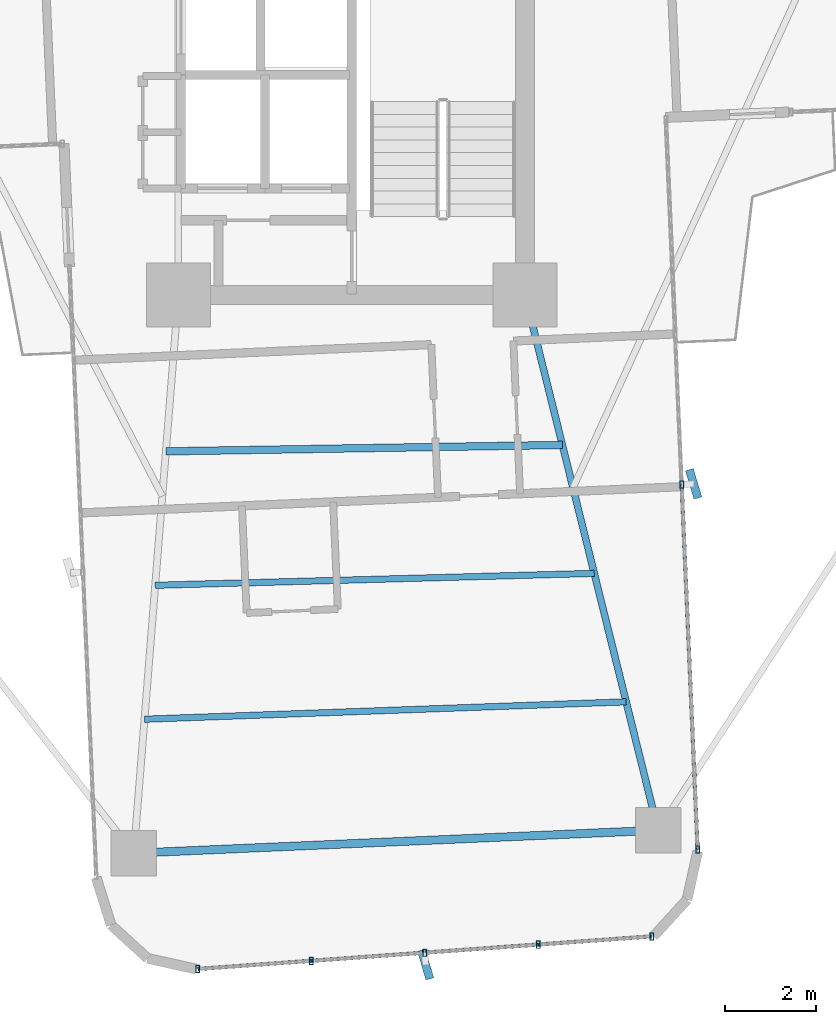
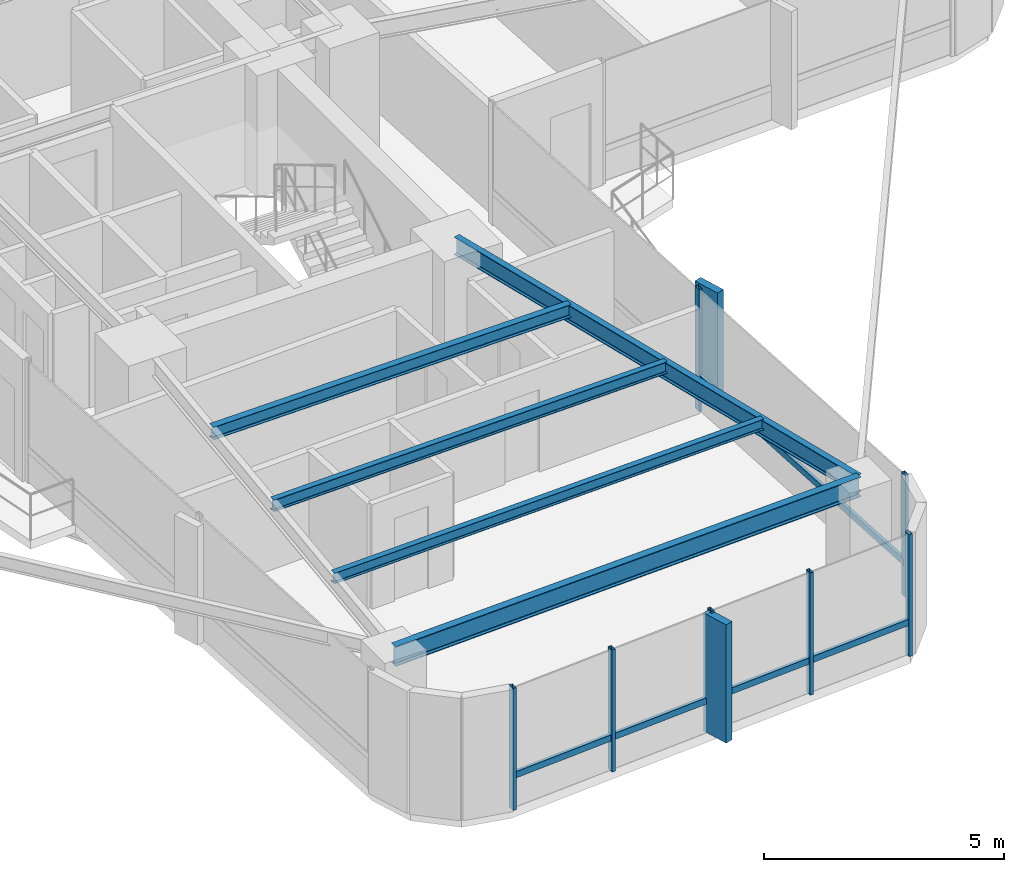
# One storey, part 6 of 26: 14 members, 5 beams, 2 elements without a shape of their own.
"""IFC4 building model written with IfcOpenShell, lengths in metres."""

from ifc_helpers import new_model, si_unit, direction, frame, origin, origin_2d, place, context, subcontext, project, spatial, rectangle, hollow_rectangle, i_section, extrude, source, transform, mapped, material, material_profile, profile_set, type_object, element, aggregate, save


model = new_model("IFC4")

# Units and contexts
model_context = context("Model", 3, precision=1e-05, world=origin(), true_north=direction((0.0, 1.0)))
body_context = subcontext(model_context, "Body", "Model", "MODEL_VIEW")
ifc_project = project(units=[si_unit("LENGTHUNIT", "METRE"), si_unit("AREAUNIT", "SQUARE_METRE"), si_unit("VOLUMEUNIT", "CUBIC_METRE"), si_unit("PLANEANGLEUNIT", "RADIAN"), si_unit("MASSUNIT", "GRAM", prefix="KILO")], contexts=[model_context])

# Site, building, storey
site_placement = place(None, origin())
site = spatial("IfcSite", under=ifc_project, at=site_placement, CompositionType="ELEMENT")
building_placement = place(site_placement, origin())
building = spatial("IfcBuilding", under=site, at=building_placement, Name="Sahyath Konkavel Grand Hotel", CompositionType="ELEMENT")
storey_placement = place(building_placement, frame((0.0, 0.0, 118.14990234375)))
storey = spatial("IfcBuildingStorey", under=building, at=storey_placement, Name="L32", CompositionType="ELEMENT", Elevation=118.14990234375)

# Beams
ifc_material_1 = material(Name="Steel E350", Category="steel")
ifc_material_profile_1 = material_profile(ifc_material_1, i_section(OverallWidth=0.14990234375, OverallDepth=0.449951171875, WebThickness=0.009521484375, FlangeThickness=0.017333984375, FilletRadius=0.014892578125, at=origin_2d()), Name="ISMB 450")
ifc_profile_set_1 = profile_set([ifc_material_profile_1], Name="Steel E350")
beam_type_1 = type_object("IfcBeamType", Name="BM-ISMB450", PredefinedType="BEAM", material=ifc_profile_set_1)
shared_shape_1 = source(origin(), body_context, "Body", "SweptSolid", [
    extrude(i_section(OverallWidth=0.14990234375, OverallDepth=0.449951171875, WebThickness=0.009521484375, FlangeThickness=0.017333984375, FilletRadius=0.014892578125, at=origin_2d()), origin(), (0.0, 0.0, 1.0), 12.084228515625),
])
beam_1_placement = place(storey_placement, frame((3.800048828125, -10.199951171875, 2.885009765625), z_axis=(0.241042688481, -0.970514514229, 0.0), x_axis=(0.970514514229, 0.241042688481, 0.0)))
element("IfcBeam", 1, at=beam_1_placement, inside=storey, type_object=beam_type_1, Name="L32 Cruciform Radial Girder SB", PredefinedType="BEAM", context=body_context, shape_type="MappedRepresentation", body=[
    mapped(shared_shape_1, transform((0.0, 0.0, 0.0), scale=1.0)),
])
ifc_material_profile_2 = material_profile(ifc_material_1, i_section(OverallWidth=0.179931640625, OverallDepth=0.5, WebThickness=0.01025390625, FlangeThickness=0.01708984375, FilletRadius=0.01708984375, at=origin_2d()), Name="ISMB 500")
ifc_profile_set_2 = profile_set([ifc_material_profile_2], Name="Steel E350")
beam_type_2 = type_object("IfcBeamType", Name="BM-ISMB500", PredefinedType="BEAM", material=ifc_profile_set_2)
shared_shape_2 = source(origin(), body_context, "Body", "SweptSolid", [
    extrude(i_section(OverallWidth=0.179931640625, OverallDepth=0.5, WebThickness=0.01025390625, FlangeThickness=0.01708984375, FilletRadius=0.01708984375, at=origin_2d()), origin(), (0.0, 0.0, 1.0), 11.5),
])
beam_2_placement = place(storey_placement, frame((-4.776123046875, -22.4296875, 2.860107421875), z_axis=(0.99904788879, 0.043627008892, 0.0), x_axis=(-0.043627008892, 0.99904788879, 0.0)))
element("IfcBeam", 2, at=beam_2_placement, inside=storey, type_object=beam_type_2, Name="L32 Wing Tip Edge Beam S", PredefinedType="BEAM", context=body_context, shape_type="MappedRepresentation", body=[
    mapped(shared_shape_2, transform((0.0, 0.0, 0.0), scale=1.0)),
])
ifc_material_profile_3 = material_profile(ifc_material_1, i_section(OverallWidth=0.1650390625, OverallDepth=0.324951171875, WebThickness=0.007080078125, FlangeThickness=0.009765625, FilletRadius=0.014892578125, at=origin_2d()), Name="ISLB 325")
ifc_profile_set_3 = profile_set([ifc_material_profile_3], Name="Steel E350")
beam_type_3 = type_object("IfcBeamType", Name="BM-ISLB325", PredefinedType="BEAM", material=ifc_profile_set_3)
shared_shape_3 = source(origin(), body_context, "Body", "SweptSolid", [
    extrude(i_section(OverallWidth=0.1650390625, OverallDepth=0.324951171875, WebThickness=0.007080078125, FlangeThickness=0.009765625, FilletRadius=0.014892578125, at=origin_2d()), origin(), (0.0, 0.0, 1.0), 8.68994140625),
])
beam_3_placement = place(storey_placement, frame((-4.0732421875, -13.624267578125, 2.947509765625), z_axis=(0.999869506431, 0.016154569283, 0.0), x_axis=(-0.016154569283, 0.999869506431, 0.0)))
element("IfcBeam", 3, at=beam_3_placement, inside=storey, type_object=beam_type_3, Name="L32 Secondary Floor Beam S-1", PredefinedType="BEAM", context=body_context, shape_type="MappedRepresentation", body=[
    mapped(shared_shape_3, transform((0.0, 0.0, 0.0), scale=1.0)),
])
ifc_material_profile_4 = material_profile(ifc_material_1, i_section(OverallWidth=0.139892578125, OverallDepth=0.300048828125, WebThickness=0.0078125, FlangeThickness=0.01318359375, FilletRadius=0.013916015625, at=origin_2d()), Name="ISMB 300")
ifc_profile_set_4 = profile_set([ifc_material_profile_4], Name="Steel E350")
beam_type_4 = type_object("IfcBeamType", Name="BM-ISMB300", PredefinedType="BEAM", material=ifc_profile_set_4)
shared_shape_4 = source(origin(), body_context, "Body", "SweptSolid", [
    extrude(i_section(OverallWidth=0.139892578125, OverallDepth=0.300048828125, WebThickness=0.0078125, FlangeThickness=0.01318359375, FilletRadius=0.013916015625, at=origin_2d()), origin(), (0.0, 0.0, 1.0), 9.625732421875),
])
beam_4_placement = place(storey_placement, frame((-4.3076171875, -16.559326171875, 2.960205078125), z_axis=(0.999633060528, 0.027087714933, 0.0), x_axis=(-0.027087714933, 0.999633060528, 0.0)))
element("IfcBeam", 4, at=beam_4_placement, inside=storey, type_object=beam_type_4, Name="L32 Secondary Floor Beam S-2", PredefinedType="BEAM", context=body_context, shape_type="MappedRepresentation", body=[
    mapped(shared_shape_4, transform((0.0, 0.0, 0.0), scale=1.0)),
])
ifc_material_profile_5 = material_profile(ifc_material_1, i_section(OverallWidth=0.139892578125, OverallDepth=0.27490234375, WebThickness=0.00634765625, FlangeThickness=0.0087890625, FilletRadius=0.012939453125, at=origin_2d()), Name="ISLB 275")
ifc_profile_set_5 = profile_set([ifc_material_profile_5], Name="Steel E350")
beam_type_5 = type_object("IfcBeamType", Name="BM-ISLB275", PredefinedType="BEAM", material=ifc_profile_set_5)
shared_shape_5 = source(origin(), body_context, "Body", "SweptSolid", [
    extrude(i_section(OverallWidth=0.139892578125, OverallDepth=0.27490234375, WebThickness=0.00634765625, FlangeThickness=0.0087890625, FilletRadius=0.012939453125, at=origin_2d()), origin(), (0.0, 0.0, 1.0), 10.562744140625),
])
beam_5_placement = place(storey_placement, frame((-4.5419921875, -19.49462890625, 2.97265625), z_axis=(0.999348077295, 0.036102914095, 0.0), x_axis=(-0.036102914095, 0.999348077295, 0.0)))
element("IfcBeam", 5, at=beam_5_placement, inside=storey, type_object=beam_type_5, Name="L32 Secondary Floor Beam S-3", PredefinedType="BEAM", context=body_context, shape_type="MappedRepresentation", body=[
    mapped(shared_shape_5, transform((0.0, 0.0, 0.0), scale=1.0)),
])

# Curtain wall, member
ifc_material_2 = material(Name="Anodised Bronze Aluminium & Low-E Glazing", Category="aluminium")
curtain_wall_type = type_object("IfcCurtainWallType", Name="CW-ZONE2", PredefinedType="NOTDEFINED", material=ifc_material_2)
curtain_wall_1_placement = place(storey_placement, origin())
curtain_wall_1 = element("IfcCurtainWall", 6, at=curtain_wall_1_placement, inside=storey, type_object=curtain_wall_type, Name="L32 Unitised Curtain Wall F28", PredefinedType="NOTDEFINED")
ifc_material_3 = material(Name="Warm Buff Sandstone Cladding on Concrete C50/60", Category="masonry")
ifc_material_profile_6 = material_profile(ifc_material_3, rectangle(XDim=0.179931640625, YDim=0.64990234375, at=origin_2d()), Name="FIN 180x650")
ifc_profile_set_6 = profile_set([ifc_material_profile_6], Name="Warm Buff Sandstone Cladding on Concrete C50/60")
member_type_1 = type_object("IfcMemberType", Name="FIN-SANDSTONE-650", PredefinedType="MULLION", material=ifc_profile_set_6)
shared_shape_6 = source(origin(), body_context, "Body", "SweptSolid", [
    extrude(rectangle(XDim=0.179931640625, YDim=0.64990234375, at=origin_2d()), origin(), (0.0, 0.0, 1.0), 3.010009765625),
])
member_1_placement = place(storey_placement, frame((1.61865234375, -24.872314453125, 0.050048828125), z_axis=(0.0, 0.0, 1.0), x_axis=(0.959264682049, 0.282508884416, 0.0)))
member_1 = element("IfcMember", 7, at=member_1_placement, type_object=member_type_1, Name="L32 Sandstone Vertical Solar Fin FIN F28-2", PredefinedType="MULLION", context=body_context, shape_type="MappedRepresentation", body=[
    mapped(shared_shape_6, transform((0.0, 0.0, 0.0), scale=1.0)),
])

curtain_wall_2_placement = place(storey_placement, origin())
curtain_wall_2 = element("IfcCurtainWall", 8, at=curtain_wall_2_placement, inside=storey, type_object=curtain_wall_type, Name="L32 Unitised Curtain Wall F31", PredefinedType="NOTDEFINED")
member_2_placement = place(storey_placement, frame((7.492431640625, -14.3369140625, 0.050048828125), z_axis=(0.0, 0.0, 1.0), x_axis=(0.957117481996, 0.289700061544, 0.0)))
member_2 = element("IfcMember", 9, at=member_2_placement, type_object=member_type_1, Name="L32 Sandstone Vertical Solar Fin FIN F31-1", PredefinedType="MULLION", context=body_context, shape_type="MappedRepresentation", body=[
    mapped(shared_shape_6, transform((0.0, 0.0, 0.0), scale=1.0)),
])

# Member
ifc_material_4 = material(Name="Anodised Bronze Aluminium", Category="aluminium")
ifc_material_profile_7 = material_profile(ifc_material_4, hollow_rectangle(XDim=0.080078125, YDim=0.159912109375, WallThickness=0.006103515625, at=origin_2d()), Name="RHS 160x80x6")
ifc_profile_set_7 = profile_set([ifc_material_profile_7], Name="Anodised Bronze Aluminium")
member_type_2 = type_object("IfcMemberType", Name="CW-MUL-160", PredefinedType="MULLION", material=ifc_profile_set_7)
shared_shape_7 = source(origin(), body_context, "Body", "SweptSolid", [
    extrude(hollow_rectangle(XDim=0.080078125, YDim=0.159912109375, WallThickness=0.006103515625, at=origin_2d()), origin(), (0.0, 0.0, 1.0), 3.110107421875),
])
member_3_placement = place(storey_placement, frame((-3.3740234375, -24.9697265625, 0.0), z_axis=(0.0, 0.0, 1.0), x_axis=(1.0, 0.0, 0.0)))
member_3 = element("IfcMember", 10, at=member_3_placement, type_object=member_type_2, Name="L32 Curtain Wall Mullion F28-0", PredefinedType="MULLION", context=body_context, shape_type="MappedRepresentation", body=[
    mapped(shared_shape_7, transform((0.0, 0.0, 0.0), scale=1.0)),
])

member_4_placement = place(storey_placement, frame((-0.886962890625, -24.79150390625, 0.0), z_axis=(0.0, 0.0, 1.0), x_axis=(1.0, 0.0, 0.0)))
member_4 = element("IfcMember", 11, at=member_4_placement, type_object=member_type_2, Name="L32 Curtain Wall Mullion F28-1", PredefinedType="MULLION", context=body_context, shape_type="MappedRepresentation", body=[
    mapped(shared_shape_7, transform((0.0, 0.0, 0.0), scale=1.0)),
])

member_5_placement = place(storey_placement, frame((1.60009765625, -24.61279296875, 0.0), z_axis=(0.0, 0.0, 1.0), x_axis=(1.0, 0.0, 0.0)))
member_5 = element("IfcMember", 12, at=member_5_placement, type_object=member_type_2, Name="L32 Curtain Wall Mullion F28-2", PredefinedType="MULLION", context=body_context, shape_type="MappedRepresentation", body=[
    mapped(shared_shape_7, transform((0.0, 0.0, 0.0), scale=1.0)),
])

member_6_placement = place(storey_placement, frame((4.087158203125, -24.4345703125, 0.0), z_axis=(0.0, 0.0, 1.0), x_axis=(1.0, 0.0, 0.0)))
member_6 = element("IfcMember", 13, at=member_6_placement, type_object=member_type_2, Name="L32 Curtain Wall Mullion F28-3", PredefinedType="MULLION", context=body_context, shape_type="MappedRepresentation", body=[
    mapped(shared_shape_7, transform((0.0, 0.0, 0.0), scale=1.0)),
])

member_7_placement = place(storey_placement, frame((6.57421875, -24.256103515625, 0.0), z_axis=(0.0, 0.0, 1.0), x_axis=(1.0, 0.0, 0.0)))
member_7 = element("IfcMember", 14, at=member_7_placement, type_object=member_type_2, Name="L32 Curtain Wall Mullion F28-4", PredefinedType="MULLION", context=body_context, shape_type="MappedRepresentation", body=[
    mapped(shared_shape_7, transform((0.0, 0.0, 0.0), scale=1.0)),
])

member_8_placement = place(storey_placement, frame((7.582275390625, -22.3505859375, 0.0), z_axis=(0.0, 0.0, 1.0), x_axis=(1.0, 0.0, 0.0)))
member_8 = element("IfcMember", 15, at=member_8_placement, type_object=member_type_2, Name="L32 Curtain Wall Mullion F31-0", PredefinedType="MULLION", context=body_context, shape_type="MappedRepresentation", body=[
    mapped(shared_shape_7, transform((0.0, 0.0, 0.0), scale=1.0)),
])

member_9_placement = place(storey_placement, frame((7.232666015625, -14.34814453125, 0.0), z_axis=(0.0, 0.0, 1.0), x_axis=(1.0, 0.0, 0.0)))
member_9 = element("IfcMember", 16, at=member_9_placement, type_object=member_type_2, Name="L32 Curtain Wall Mullion F31-1", PredefinedType="MULLION", context=body_context, shape_type="MappedRepresentation", body=[
    mapped(shared_shape_7, transform((0.0, 0.0, 0.0), scale=1.0)),
])

ifc_material_profile_8 = material_profile(ifc_material_4, hollow_rectangle(XDim=0.080078125, YDim=0.159912109375, WallThickness=0.006103515625, at=origin_2d()), Name="RHS 160x80x6")
ifc_profile_set_8 = profile_set([ifc_material_profile_8], Name="Anodised Bronze Aluminium")
member_type_3 = type_object("IfcMemberType", Name="CW-TRN-160", PredefinedType="USERDEFINED", material=ifc_profile_set_8)
shared_shape_8 = source(origin(), body_context, "Body", "SweptSolid", [
    extrude(hollow_rectangle(XDim=0.080078125, YDim=0.159912109375, WallThickness=0.006103515625, at=origin_2d()), origin(), (0.0, 0.0, 1.0), 2.493408203125),
])
member_10_placement = place(storey_placement, frame((-3.3740234375, -24.9697265625, 0.85009765625), z_axis=(0.997442271688, 0.071476672066, 0.0), x_axis=(-0.071476672066, 0.997442271688, 0.0)))
member_10 = element("IfcMember", 17, at=member_10_placement, type_object=member_type_3, Name="L32 Curtain Wall Transom F28-0-spandrel", ObjectType="TRANSOM", PredefinedType="USERDEFINED", context=body_context, shape_type="MappedRepresentation", body=[
    mapped(shared_shape_8, transform((0.0, 0.0, 0.0), scale=1.0)),
])

member_11_placement = place(storey_placement, frame((-0.886962890625, -24.79150390625, 0.85009765625), z_axis=(0.997428291631, 0.071671494009, 0.0), x_axis=(-0.071671494009, 0.997428291631, 0.0)))
member_11 = element("IfcMember", 18, at=member_11_placement, type_object=member_type_3, Name="L32 Curtain Wall Transom F28-1-spandrel", ObjectType="TRANSOM", PredefinedType="USERDEFINED", context=body_context, shape_type="MappedRepresentation", body=[
    mapped(shared_shape_8, transform((0.0, 0.0, 0.0), scale=1.0)),
])

member_12_placement = place(storey_placement, frame((1.60009765625, -24.61279296875, 0.85009765625), z_axis=(0.997442271688, 0.071476672066, 0.0), x_axis=(-0.071476672066, 0.997442271688, 0.0)))
member_12 = element("IfcMember", 19, at=member_12_placement, type_object=member_type_3, Name="L32 Curtain Wall Transom F28-2-spandrel", ObjectType="TRANSOM", PredefinedType="USERDEFINED", context=body_context, shape_type="MappedRepresentation", body=[
    mapped(shared_shape_8, transform((0.0, 0.0, 0.0), scale=1.0)),
])

member_13_placement = place(storey_placement, frame((4.087158203125, -24.4345703125, 0.85009765625), z_axis=(0.997435286367, 0.071574084062, 0.0), x_axis=(-0.071574084062, 0.997435286367, 0.0)))
member_13 = element("IfcMember", 20, at=member_13_placement, type_object=member_type_3, Name="L32 Curtain Wall Transom F28-3-spandrel", ObjectType="TRANSOM", PredefinedType="USERDEFINED", context=body_context, shape_type="MappedRepresentation", body=[
    mapped(shared_shape_8, transform((0.0, 0.0, 0.0), scale=1.0)),
])

aggregate(curtain_wall_1, [member_3, member_4, member_5, member_1, member_6, member_7, member_10, member_11, member_12, member_13])

shared_shape_9 = source(origin(), body_context, "Body", "SweptSolid", [
    extrude(hollow_rectangle(XDim=0.080078125, YDim=0.159912109375, WallThickness=0.006103515625, at=origin_2d()), origin(), (0.0, 0.0, 1.0), 8.010009765625),
])
member_14_placement = place(storey_placement, frame((7.582275390625, -22.3505859375, 0.85009765625), z_axis=(-0.043646207089, 0.999047050247, 0.0), x_axis=(-0.999047050247, -0.043646207089, 0.0)))
member_14 = element("IfcMember", 21, at=member_14_placement, type_object=member_type_3, Name="L32 Curtain Wall Transom F31-0-spandrel", ObjectType="TRANSOM", PredefinedType="USERDEFINED", context=body_context, shape_type="MappedRepresentation", body=[
    mapped(shared_shape_9, transform((0.0, 0.0, 0.0), scale=1.0)),
])

aggregate(curtain_wall_2, [member_8, member_9, member_2, member_14])

save(model, "model.ifc")
